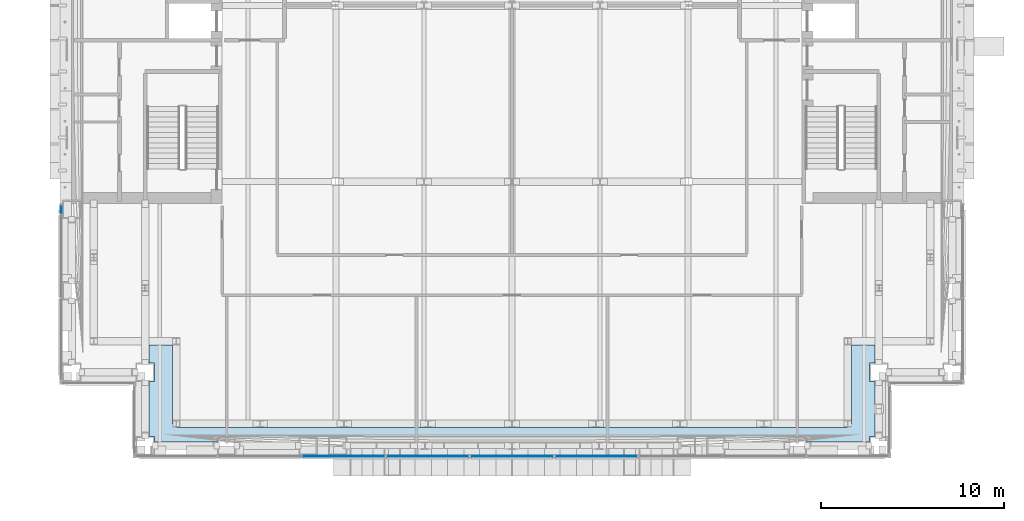
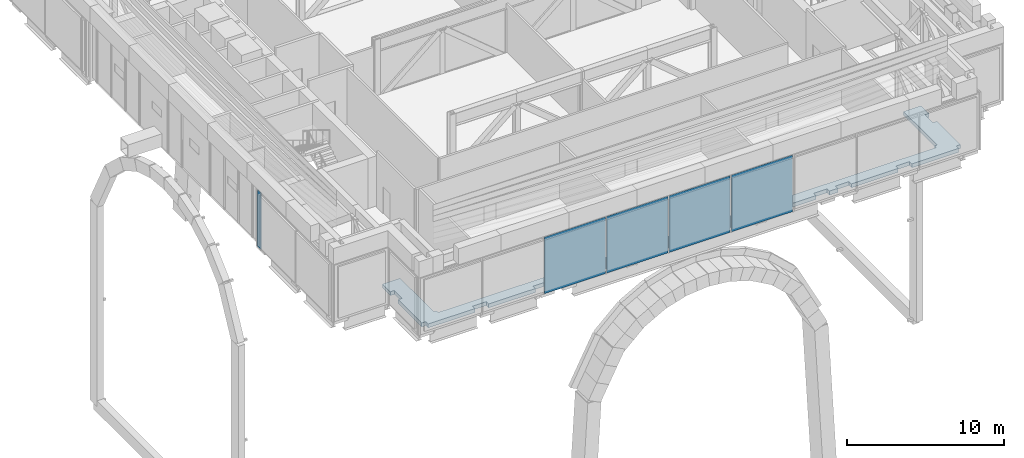
# One storey, part 12 of 39: 5 plates, 1 slab, 2 elements without a shape of their own.
"""IFC4 building model written with IfcOpenShell, lengths in metres."""

from ifc_helpers import new_model, si_unit, direction, frame, origin, origin_2d, place, context, subcontext, project, spatial, polyline, rectangle, outline, extrude, material, layer, layer_set, type_object, element, aggregate, save


model = new_model("IFC4")

# Units and contexts
model_context = context("Model", 3, precision=1e-05, world=origin(), true_north=direction((0.0, 1.0)))
body_context = subcontext(model_context, "Body", "Model", "MODEL_VIEW")
ifc_project = project(units=[si_unit("LENGTHUNIT", "METRE"), si_unit("AREAUNIT", "SQUARE_METRE"), si_unit("VOLUMEUNIT", "CUBIC_METRE"), si_unit("PLANEANGLEUNIT", "RADIAN"), si_unit("MASSUNIT", "GRAM", prefix="KILO")], contexts=[model_context])

# Site, building, storey
site_placement = place(None, origin())
site = spatial("IfcSite", under=ifc_project, at=site_placement, CompositionType="ELEMENT")
building_placement = place(site_placement, origin())
building = spatial("IfcBuilding", under=site, at=building_placement, Name="Cobrizo Arcos Hotel Tower", CompositionType="ELEMENT")
storey_placement = place(building_placement, frame((0.0, 0.0, 84.5)))
storey = spatial("IfcBuildingStorey", under=building, at=storey_placement, Name="L20", CompositionType="ELEMENT", Elevation=84.5)

# Curtain wall, plates
ifc_material_1 = material(Name="Aluminium 6063-T6 anodised bronze", Category="aluminium")
curtain_wall_type = type_object("IfcCurtainWallType", Name="CW-D plant louvre wall", PredefinedType="NOTDEFINED", material=ifc_material_1)
curtain_wall_1_placement = place(storey_placement, origin())
curtain_wall_1 = element("IfcCurtainWall", 1, at=curtain_wall_1_placement, inside=storey, type_object=curtain_wall_type, Name="CW-D L20 S face", PredefinedType="NOTDEFINED")
ifc_material_2 = material(Name="Aluminium composite panel pale metal", Category="aluminium")
ifc_layer_1 = layer(ifc_material_2, 0.06005859375)
ifc_layer_set_1 = layer_set([ifc_layer_1], Name="CW-D spandrel panel")
plate_type = type_object("IfcPlateType", Name="CW-D spandrel panel", PredefinedType="CURTAIN_PANEL", material=ifc_layer_set_1)
plate_1_placement = place(storey_placement, frame((-9.177734375, -24.574951171875, 0.0), z_axis=(0.0, 0.0, 1.0), x_axis=(1.0, 0.0, 0.0)))
plate_1 = element("IfcPlate", 2, at=plate_1_placement, type_object=plate_type, Name="CW-D insulated panel 815", PredefinedType="CURTAIN_PANEL", context=body_context, shape_type="SweptSolid", body=[
    extrude(rectangle(XDim=4.48876953125, YDim=0.0400390625, at=origin_2d()), origin(), (0.0, 0.0, 1.0), 4.39990234375),
])
plate_2_placement = place(storey_placement, frame((-4.5888671875, -24.574951171875, 0.0), z_axis=(0.0, 0.0, 1.0), x_axis=(1.0, 0.0, 0.0)))
plate_2 = element("IfcPlate", 3, at=plate_2_placement, type_object=plate_type, Name="CW-D insulated panel 816", PredefinedType="CURTAIN_PANEL", context=body_context, shape_type="SweptSolid", body=[
    extrude(rectangle(XDim=4.48876953125, YDim=0.0400390625, at=origin_2d()), origin(), (0.0, 0.0, 1.0), 4.39990234375),
])
plate_3_placement = place(storey_placement, frame((0.0, -24.574951171875, 0.0), z_axis=(0.0, 0.0, 1.0), x_axis=(1.0, 0.0, 0.0)))
plate_3 = element("IfcPlate", 4, at=plate_3_placement, type_object=plate_type, Name="CW-D insulated panel 817", PredefinedType="CURTAIN_PANEL", context=body_context, shape_type="SweptSolid", body=[
    extrude(rectangle(XDim=4.48876953125, YDim=0.0400390625, at=origin_2d()), origin(), (0.0, 0.0, 1.0), 4.39990234375),
])
plate_4_placement = place(storey_placement, frame((4.5888671875, -24.574951171875, 0.0), z_axis=(0.0, 0.0, 1.0), x_axis=(1.0, 0.0, 0.0)))
plate_4 = element("IfcPlate", 5, at=plate_4_placement, type_object=plate_type, Name="CW-D insulated panel 818", PredefinedType="CURTAIN_PANEL", context=body_context, shape_type="SweptSolid", body=[
    extrude(rectangle(XDim=4.48876953125, YDim=0.0400390625, at=origin_2d()), origin(), (0.0, 0.0, 1.0), 4.39990234375),
])
aggregate(curtain_wall_1, [plate_1, plate_2, plate_3, plate_4])

# Curtain wall, plate
curtain_wall_2_placement = place(storey_placement, origin())
curtain_wall_2 = element("IfcCurtainWall", 6, at=curtain_wall_2_placement, inside=storey, type_object=curtain_wall_type, Name="CW-D L20 W face", PredefinedType="NOTDEFINED")
plate_5_placement = place(storey_placement, frame((-24.574951171875, -11.119384765625, 0.0), z_axis=(0.0, 0.0, 1.0), x_axis=(0.0, -1.0, 0.0)))
plate_5 = element("IfcPlate", 7, at=plate_5_placement, type_object=plate_type, Name="CW-D insulated panel 846", PredefinedType="CURTAIN_PANEL", context=body_context, shape_type="SweptSolid", body=[
    extrude(rectangle(XDim=0.43896484375, YDim=0.0400390625, at=origin_2d()), origin(), (0.0, 0.0, 1.0), 4.39990234375),
])
aggregate(curtain_wall_2, [plate_5])

# Slab
ifc_material_3 = material(Name="Concrete f'c 35 MPa", Category="concrete")
ifc_layer_2 = layer(ifc_material_3, 0.300048828125)
ifc_layer_set_2 = layer_set([ifc_layer_2], Name="Composite floor slab 300 f'c 35")
slab_type = type_object("IfcSlabType", Name="Composite floor slab 300 f'c 35", PredefinedType="FLOOR", material=ifc_layer_set_2)
slab_placement = place(storey_placement, frame((0.0, 0.0, -0.300048828125)))
element("IfcSlab", 8, at=slab_placement, inside=storey, type_object=slab_type, Name="Floor slab S2, L20, no. 03", PredefinedType="FLOOR", context=body_context, shape_type="SweptSolid", body=[
    extrude(outline(polyline([(18.300048828125, -22.800048828125), (18.50048828125, -22.800048828125), (18.50048828125, -18.50048828125), (19.799560546875, -18.50048828125), (19.799560546875, -19.5), (19.5, -19.5), (19.5, -20.5), (19.799560546875, -20.5), (19.799560546875, -23.5), (19.5, -23.5), (19.5, -23.799560546875), (16.055908203125, -23.799560546875), (16.055908203125, -23.5), (15.055908203125, -23.5), (15.055908203125, -23.799560546875), (11.611083984375, -23.799560546875), (11.611083984375, -23.5), (10.611083984375, -23.5), (10.611083984375, -23.799560546875), (10.0, -23.799560546875), (10.0, -23.5), (9.0, -23.5), (9.0, -23.799560546875), (-9.0, -23.799560546875), (-9.0, -23.5), (-10.0, -23.5), (-10.0, -23.799560546875), (-10.611083984375, -23.799560546875), (-10.611083984375, -23.5), (-11.611083984375, -23.5), (-11.611083984375, -23.799560546875), (-15.055908203125, -23.799560546875), (-15.055908203125, -23.5), (-16.055908203125, -23.5), (-16.055908203125, -23.799560546875), (-19.5, -23.799560546875), (-19.5, -23.5), (-19.799560546875, -23.5), (-19.799560546875, -20.5), (-19.5, -20.5), (-19.5, -19.5), (-19.799560546875, -19.5), (-19.799560546875, -18.50048828125), (-18.50048828125, -18.50048828125), (-18.50048828125, -22.800048828125), (-18.300048828125, -22.800048828125), (-18.300048828125, -23.00048828125), (18.300048828125, -23.00048828125), (18.300048828125, -22.800048828125)])), origin(), (0.0, 0.0, 1.0), 0.300048828125),
])

save(model, "model.ifc")
